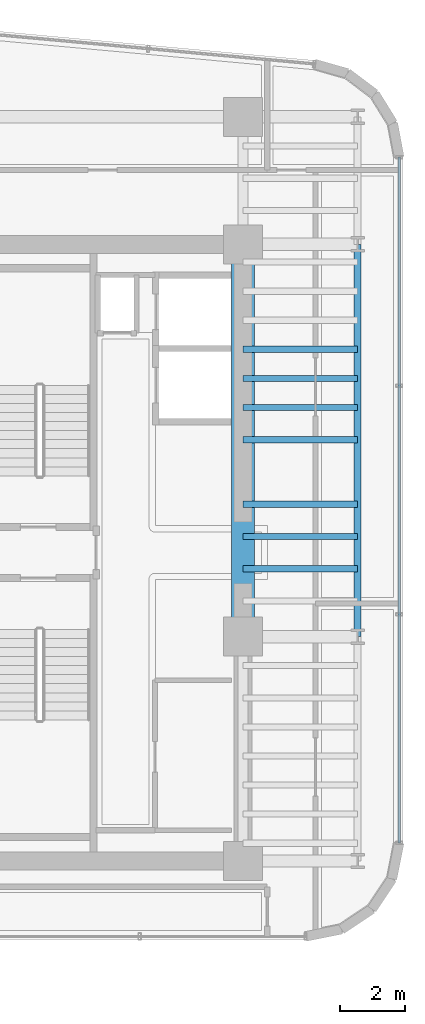
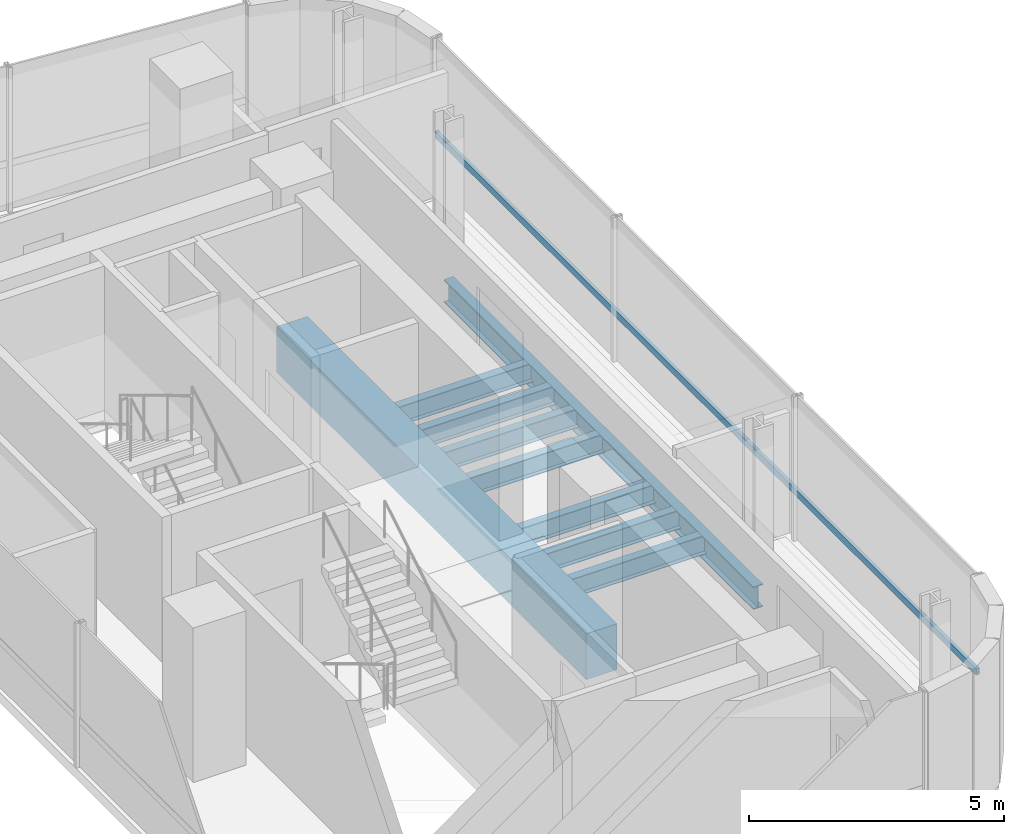
# One storey, part 17 of 34: 9 beams, 1 member, 1 element without a shape of its own.
"""IFC4 building model written with IfcOpenShell, lengths in metres."""

from ifc_helpers import new_model, si_unit, direction, frame, origin, origin_2d, place, context, subcontext, project, spatial, rectangle, hollow_rectangle, i_section, extrude, source, transform, mapped, material, material_profile, profile_set, type_object, element, aggregate, save


model = new_model("IFC4")

# Units and contexts
model_context = context("Model", 3, precision=1e-05, world=origin(), true_north=direction((0.0, 1.0)))
body_context = subcontext(model_context, "Body", "Model", "MODEL_VIEW")
ifc_project = project(units=[si_unit("LENGTHUNIT", "METRE"), si_unit("AREAUNIT", "SQUARE_METRE"), si_unit("VOLUMEUNIT", "CUBIC_METRE"), si_unit("PLANEANGLEUNIT", "RADIAN"), si_unit("MASSUNIT", "GRAM", prefix="KILO")], contexts=[model_context])

# Site, building, storey
site_placement = place(None, origin())
site = spatial("IfcSite", under=ifc_project, at=site_placement, CompositionType="ELEMENT")
building_placement = place(site_placement, origin())
building = spatial("IfcBuilding", under=site, at=building_placement, Name="Valdorenza Pilgrim Sanctuary Tower", CompositionType="ELEMENT")
storey_placement = place(building_placement, frame((0.0, 0.0, 164.89990234375)))
storey = spatial("IfcBuildingStorey", under=building, at=storey_placement, Name="L42", CompositionType="ELEMENT", Elevation=164.89990234375)

# Beams
ifc_material_1 = material(Name="Concrete C50/60", Category="concrete")
ifc_material_profile_1 = material_profile(ifc_material_1, rectangle(XDim=0.699951171875, YDim=1.10009765625, at=origin_2d()), Name="RC 1100x700")
ifc_profile_set_1 = profile_set([ifc_material_profile_1], Name="Concrete C50/60")
beam_type_1 = type_object("IfcBeamType", Name="STR-BM-LNT-1100", PredefinedType="LINTEL", material=ifc_profile_set_1)
shared_shape_1 = source(origin(), body_context, "Body", "SweptSolid", [
    extrude(rectangle(XDim=0.699951171875, YDim=1.10009765625, at=origin_2d()), origin(), (0.0, 0.0, 1.0), 12.150146484375),
])
beam_1_placement = place(storey_placement, frame((24.85009765625, -2.60009765625, -0.58984375), z_axis=(0.0, 1.0, 0.0), x_axis=(-1.0, 0.0, 0.0)))
element("IfcBeam", 1, at=beam_1_placement, inside=storey, type_object=beam_type_1, Name="L42 Core B East Coupling Lintel Girder", PredefinedType="LINTEL", context=body_context, shape_type="MappedRepresentation", body=[
    mapped(shared_shape_1, transform((0.0, 0.0, 0.0), x_axis=(1.0, 0.0, 0.0), y_axis=(0.0, 1.0, 0.0), z_axis=(0.0, 0.0, 1.0), scale=1.0)),
])
ifc_material_2 = material(Name="Steel ASTM A992 Grade 50", Category="steel")
ifc_material_profile_2 = material_profile(ifc_material_2, i_section(OverallWidth=0.214111328125, OverallDepth=0.549072265625, WebThickness=0.0146484375, FlangeThickness=0.023681640625, at=origin_2d()), Name="W21X93")
ifc_profile_set_2 = profile_set([ifc_material_profile_2], Name="Steel ASTM A992 Grade 50")
beam_type_2 = type_object("IfcBeamType", Name="STR-BM-SPN-W21A", PredefinedType="SPANDREL", material=ifc_profile_set_2)
shared_shape_2 = source(origin(), body_context, "Body", "SweptSolid", [
    extrude(i_section(OverallWidth=0.214111328125, OverallDepth=0.549072265625, WebThickness=0.0146484375, FlangeThickness=0.023681640625, at=origin_2d()), origin(), (0.0, 0.0, 1.0), 12.150146484375),
])
beam_2_placement = place(storey_placement, frame((28.39990234375, -2.60009765625, -0.514404296875), z_axis=(0.0, 1.0, 0.0), x_axis=(-1.0, 0.0, 0.0)))
element("IfcBeam", 2, at=beam_2_placement, inside=storey, type_object=beam_type_2, Name="L42 Spandrel Beam WB-E-M0N1", PredefinedType="SPANDREL", context=body_context, shape_type="MappedRepresentation", body=[
    mapped(shared_shape_2, transform((0.0, 0.0, 0.0), x_axis=(1.0, 0.0, 0.0), y_axis=(0.0, 1.0, 0.0), z_axis=(0.0, 0.0, 1.0), scale=1.0)),
])
ifc_material_profile_3 = material_profile(ifc_material_2, i_section(OverallWidth=0.19091796875, OverallDepth=0.45703125, WebThickness=0.009033203125, FlangeThickness=0.014404296875, at=origin_2d()), Name="W18X50")
ifc_profile_set_3 = profile_set([ifc_material_profile_3], Name="Steel ASTM A992 Grade 50")
beam_type_3 = type_object("IfcBeamType", Name="STR-BM-JST-W18B", PredefinedType="JOIST", material=ifc_profile_set_3)
shared_shape_3 = source(origin(), body_context, "Body", "SweptSolid", [
    extrude(i_section(OverallWidth=0.19091796875, OverallDepth=0.45703125, WebThickness=0.009033203125, FlangeThickness=0.014404296875, at=origin_2d()), origin(), (0.0, 0.0, 1.0), 3.5498046875),
])
for number, where, z_axis, x_axis, name in (
    (3, (24.85009765625, -0.5, -0.468505859375), (1.0, 0.0, 0.0), (0.0, 1.0, 0.0), "L42 Composite Floor Joist JST-WB-9"),
    (4, (24.85009765625, 0.5, -0.468505859375), (1.0, 0.0, 0.0), (0.0, 1.0, 0.0), "L42 Composite Floor Joist JST-WB-10"),
    (5, (24.85009765625, 1.5, -0.468505859375), (1.0, 0.0, 0.0), (0.0, 1.0, 0.0), "L42 Composite Floor Joist JST-WB-11"),
    (6, (24.85009765625, 3.5, -0.468505859375), (1.0, 0.0, 0.0), (0.0, 1.0, 0.0), "L42 Composite Floor Joist JST-WB-12"),
    (7, (24.85009765625, 4.5, -0.468505859375), (1.0, 0.0, 0.0), (0.0, 1.0, 0.0), "L42 Composite Floor Joist JST-WB-13"),
    (8, (24.85009765625, 5.39990234375, -0.468505859375), (1.0, 0.0, 0.0), (0.0, 1.0, 0.0), "L42 Composite Floor Joist JST-WB-14"),
    (9, (24.85009765625, 6.300048828125, -0.468505859375), (1.0, 0.0, 0.0), (0.0, 1.0, 0.0), "L42 Composite Floor Joist JST-WB-15"),
):
    element("IfcBeam", number, at=place(storey_placement, frame(where, z_axis=z_axis, x_axis=x_axis)), inside=storey, type_object=beam_type_3, Name=name, PredefinedType="JOIST", context=body_context, shape_type="MappedRepresentation", body=[
        mapped(shared_shape_3, transform((0.0, 0.0, 0.0), x_axis=(1.0, 0.0, 0.0), y_axis=(0.0, 1.0, 0.0), z_axis=(0.0, 0.0, 1.0), scale=1.0)),
    ])

# Curtain wall, member
ifc_material_3 = material(Name="Curtain-wall IGU glazing", Category="glass")
curtain_wall_type = type_object("IfcCurtainWallType", Name="CW-SYS-03", PredefinedType="NOTDEFINED", material=ifc_material_3)
curtain_wall_placement = place(storey_placement, origin())
curtain_wall = element("IfcCurtainWall", 10, at=curtain_wall_placement, inside=storey, type_object=curtain_wall_type, Name="L42 Curtain Wall CW-L42-2-11", PredefinedType="NOTDEFINED")
ifc_material_4 = material(Name="Anodised aluminium AW-6060", Category="aluminium")
ifc_material_profile_4 = material_profile(ifc_material_4, hollow_rectangle(XDim=0.074951171875, YDim=0.159912109375, WallThickness=0.00390625, at=origin_2d()), Name="ALU-T 160x75x4")
ifc_profile_set_4 = profile_set([ifc_material_profile_4], Name="Anodised aluminium AW-6060")
member_type = type_object("IfcMemberType", Name="CW-TRN-03", PredefinedType="USERDEFINED", material=ifc_profile_set_4)
shared_shape_4 = source(origin(), body_context, "Body", "SweptSolid", [
    extrude(hollow_rectangle(XDim=0.074951171875, YDim=0.159912109375, WallThickness=0.00390625, at=origin_2d()), origin(), (0.0, 0.0, 1.0), 21.242431640625),
])
member_placement = place(storey_placement, frame((29.68994140625, 12.253173828125, 1.1201171875), z_axis=(0.0, -1.0, 0.0), x_axis=(1.0, 0.0, 0.0)))
member = element("IfcMember", 11, at=member_placement, type_object=member_type, Name="CW-L42-2-11 Transom 1", ObjectType="TRANSOM", PredefinedType="USERDEFINED", context=body_context, shape_type="MappedRepresentation", body=[
    mapped(shared_shape_4, transform((0.0, 0.0, 0.0), x_axis=(1.0, 0.0, 0.0), y_axis=(0.0, 1.0, 0.0), z_axis=(0.0, 0.0, 1.0), scale=1.0)),
])
aggregate(curtain_wall, [member])

save(model, "model.ifc")
